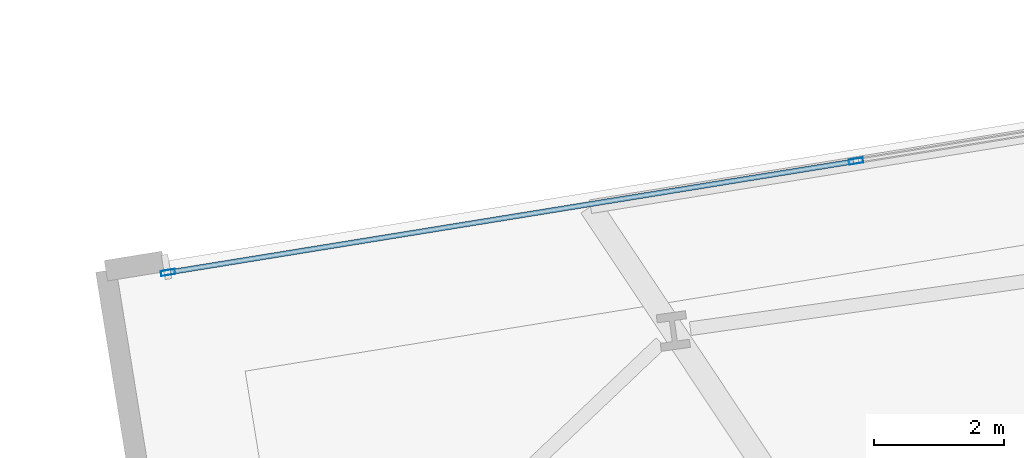
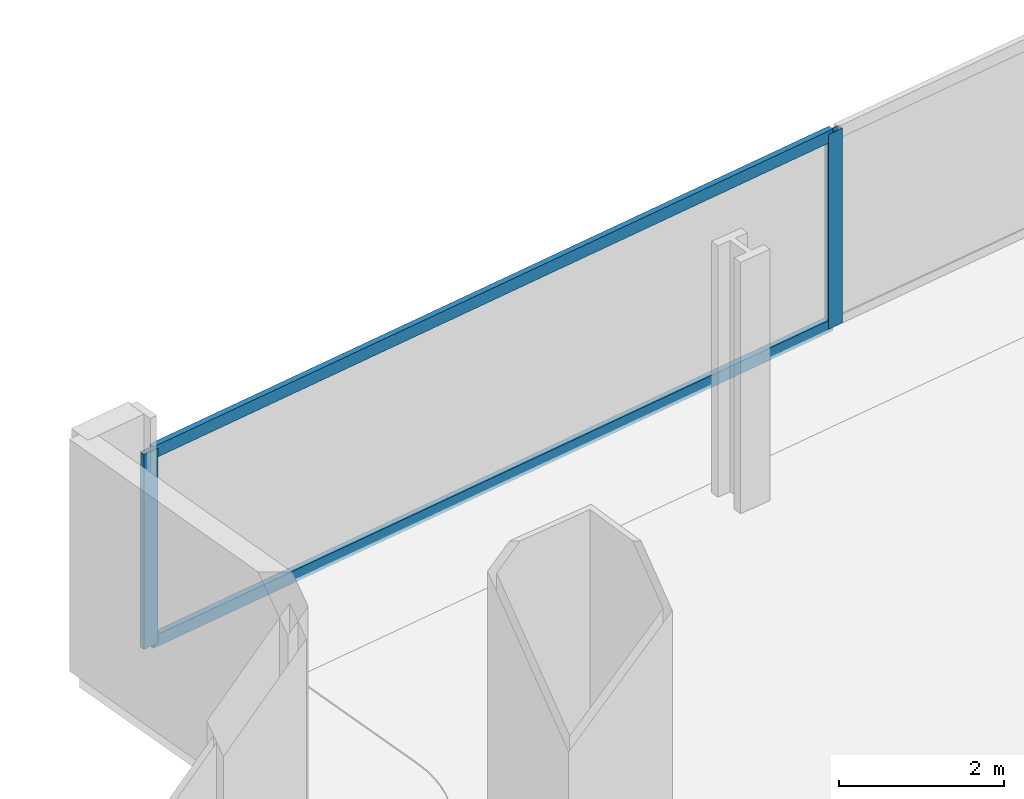
# One storey, part 18 of 33: 4 members, 1 element without a shape of its own.
"""IFC4 building model written with IfcOpenShell, lengths in metres."""

from ifc_helpers import new_model, si_unit, direction, frame, origin, origin_2d, place, context, subcontext, project, spatial, hollow_rectangle, extrude, material, material_profile, profile_set, type_object, element, aggregate, save


model = new_model("IFC4")

# Units and contexts
model_context = context("Model", 3, precision=1e-05, world=origin(), true_north=direction((0.0, 1.0)))
body_context = subcontext(model_context, "Body", "Model", "MODEL_VIEW")
ifc_project = project(units=[si_unit("LENGTHUNIT", "METRE"), si_unit("AREAUNIT", "SQUARE_METRE"), si_unit("VOLUMEUNIT", "CUBIC_METRE"), si_unit("PLANEANGLEUNIT", "RADIAN"), si_unit("MASSUNIT", "GRAM", prefix="KILO")], contexts=[model_context])

# Site, building, storey
site_placement = place(None, origin())
site = spatial("IfcSite", under=ifc_project, at=site_placement, CompositionType="ELEMENT")
building_placement = place(site_placement, origin())
building = spatial("IfcBuilding", under=site, at=building_placement, Name="Haldenkirk Collegiate Tower", CompositionType="ELEMENT")
storey_placement = place(building_placement, frame((0.0, 0.0, 58.949951171875)))
storey = spatial("IfcBuildingStorey", under=building, at=storey_placement, Name="L13", CompositionType="ELEMENT", Elevation=58.949951171875)

# Curtain wall, members
ifc_material = material(Name="Anodised architectural bronze aluminium", Category="aluminium")
curtain_wall_type = type_object("IfcCurtainWallType", Name="CW-SYS1-CONVEX-LOW", PredefinedType="USERDEFINED", material=ifc_material)
curtain_wall_placement = place(storey_placement, origin())
curtain_wall = element("IfcCurtainWall", 1, at=curtain_wall_placement, inside=storey, type_object=curtain_wall_type, Name="L13 Lower tower convex bronze-framed unitised curtain wall", ObjectType="UNITISED CURTAIN WALL", PredefinedType="USERDEFINED")
ifc_material_profile_1 = material_profile(ifc_material, hollow_rectangle(XDim=0.080078125, YDim=0.219970703125, WallThickness=0.0048828125, at=origin_2d()), Name="CW-MUL-1A")
ifc_profile_set_1 = profile_set([ifc_material_profile_1], Name="Anodised architectural bronze aluminium")
member_type_1 = type_object("IfcMemberType", Name="CW-MUL-1A", PredefinedType="MULLION", material=ifc_profile_set_1)
member_1_placement = place(storey_placement, frame((10.694580078125, 47.703369140625, 0.0), z_axis=(0.0, 0.0, 1.0), x_axis=(-0.159881193222, 0.987136264177, 0.0)))
member_1 = element("IfcMember", 2, at=member_1_placement, type_object=member_type_1, Name="CW-1A mullion 1", PredefinedType="MULLION", context=body_context, shape_type="SweptSolid", body=[
    extrude(hollow_rectangle(XDim=0.080078125, YDim=0.219970703125, WallThickness=0.0048828125, at=origin_2d()), origin(), (0.0, 0.0, 1.0), 2.89111328125),
])
member_2_placement = place(storey_placement, frame((21.29150390625, 49.419677734375, 0.0), z_axis=(0.0, 0.0, 1.0), x_axis=(-0.159881193222, 0.987136264177, 0.0)))
member_2 = element("IfcMember", 3, at=member_2_placement, type_object=member_type_1, Name="CW-1A mullion 2", PredefinedType="MULLION", context=body_context, shape_type="SweptSolid", body=[
    extrude(hollow_rectangle(XDim=0.080078125, YDim=0.219970703125, WallThickness=0.0048828125, at=origin_2d()), origin(), (0.0, 0.0, 1.0), 2.89111328125),
])
ifc_material_profile_2 = material_profile(ifc_material, hollow_rectangle(XDim=0.080078125, YDim=0.179931640625, WallThickness=0.0048828125, at=origin_2d()), Name="CW-TRN-1A")
ifc_profile_set_2 = profile_set([ifc_material_profile_2], Name="Anodised architectural bronze aluminium")
member_type_2 = type_object("IfcMemberType", Name="CW-TRN-1A", PredefinedType="USERDEFINED", material=ifc_profile_set_2)
member_3_placement = place(storey_placement, frame((10.73388671875, 47.709716796875, 0.0400390625), z_axis=(0.987135402232, 0.159886514943, 0.0), x_axis=(-0.159886514943, 0.987135402232, 0.0)))
member_3 = element("IfcMember", 4, at=member_3_placement, type_object=member_type_2, Name="CW-1A transom 1.1", ObjectType="TRANSOM", PredefinedType="USERDEFINED", context=body_context, shape_type="SweptSolid", body=[
    extrude(hollow_rectangle(XDim=0.080078125, YDim=0.179931640625, WallThickness=0.0048828125, at=origin_2d()), origin(), (0.0, 0.0, 1.0), 10.655029296875),
])
member_4_placement = place(storey_placement, frame((10.73388671875, 47.709716796875, 2.85107421875), z_axis=(0.987135402232, 0.159886514943, 0.0), x_axis=(-0.159886514943, 0.987135402232, 0.0)))
member_4 = element("IfcMember", 5, at=member_4_placement, type_object=member_type_2, Name="CW-1A transom 1.2", ObjectType="TRANSOM", PredefinedType="USERDEFINED", context=body_context, shape_type="SweptSolid", body=[
    extrude(hollow_rectangle(XDim=0.080078125, YDim=0.179931640625, WallThickness=0.0048828125, at=origin_2d()), origin(), (0.0, 0.0, 1.0), 10.655029296875),
])
aggregate(curtain_wall, [member_1, member_2, member_3, member_4])

save(model, "model.ifc")
